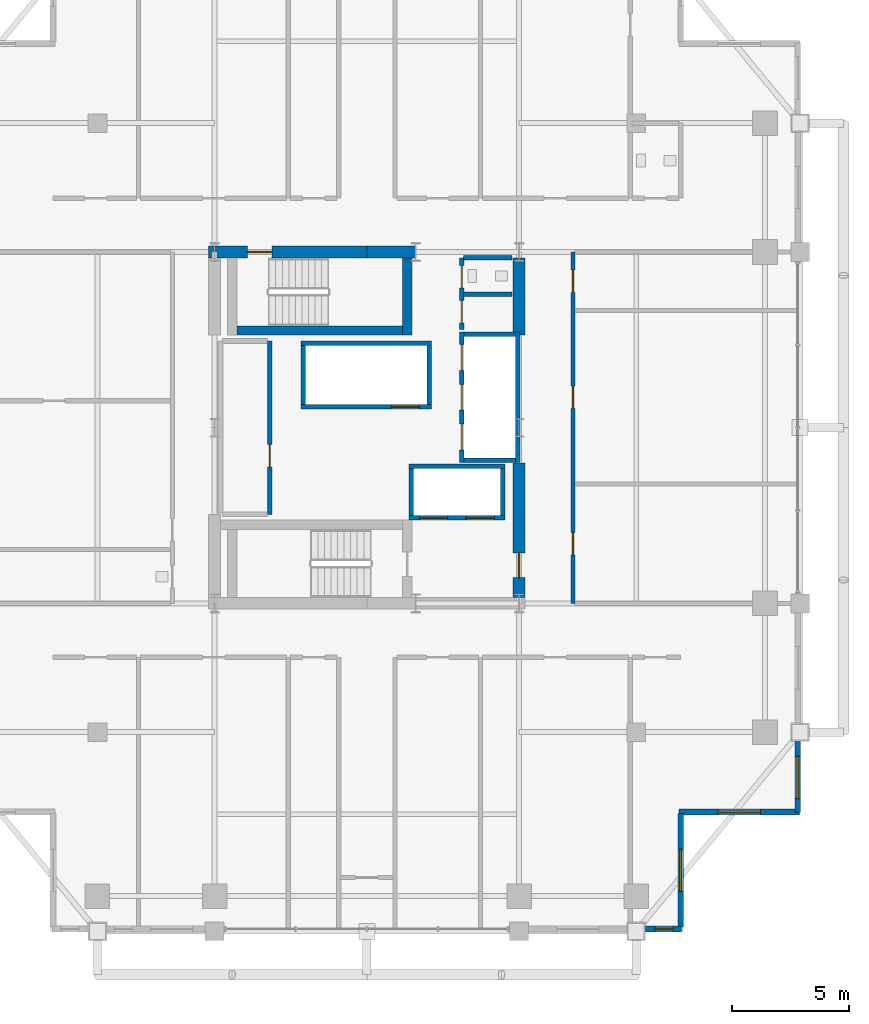
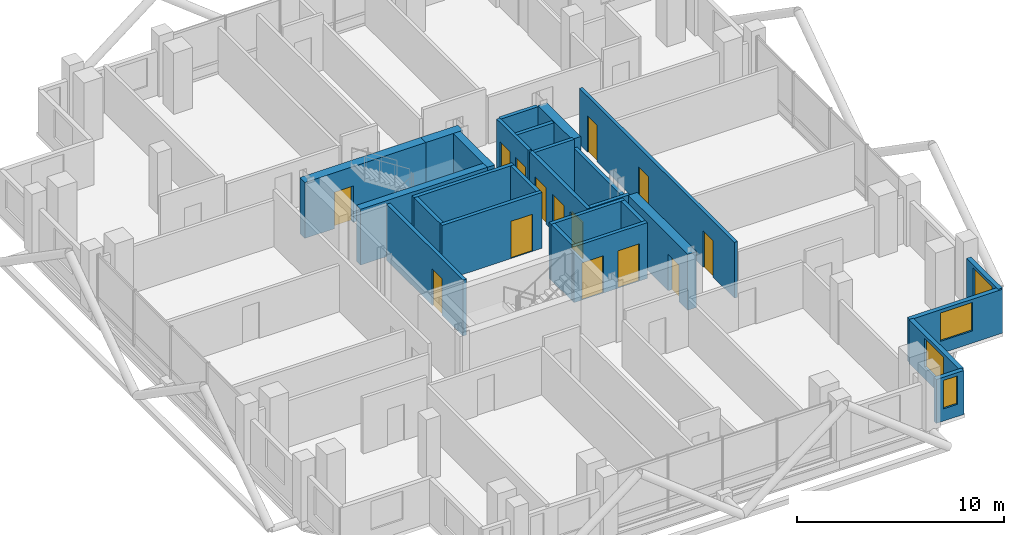
# One storey, part 21 of 25: 27 walls, 14 doors, 4 windows, 18 openings.
"""IFC4 building model written with IfcOpenShell, lengths in metres."""

from ifc_helpers import new_model, si_unit, direction, frame, frame_2d, origin, place, context, subcontext, project, spatial, rectangle, extrude, material, layer, layer_set, type_object, element, fill, save


model = new_model("IFC4")

# Units and contexts
model_context = context("Model", 3, precision=1e-05, world=origin(), true_north=direction((0.0, 1.0)))
body_context = subcontext(model_context, "Body", "Model", "MODEL_VIEW")
ifc_project = project(units=[si_unit("LENGTHUNIT", "METRE"), si_unit("AREAUNIT", "SQUARE_METRE"), si_unit("VOLUMEUNIT", "CUBIC_METRE"), si_unit("PLANEANGLEUNIT", "RADIAN"), si_unit("MASSUNIT", "GRAM", prefix="KILO")], contexts=[model_context])

# Site, building, storey
site_placement = place(None, origin())
site = spatial("IfcSite", under=ifc_project, at=site_placement, CompositionType="ELEMENT")
building_placement = place(site_placement, origin())
building = spatial("IfcBuilding", under=site, at=building_placement, Name="Barlavira Tower and Art Museum", CompositionType="ELEMENT")
storey_placement = place(building_placement, frame((0.0, 0.0, 208.800048828125)))
storey = spatial("IfcBuildingStorey", under=building, at=storey_placement, Name="L54", CompositionType="ELEMENT", Elevation=208.800048828125)

# Wall, opening, door
ifc_material_1 = material(Name="Concrete C60", Category="concrete")
ifc_layer_1 = layer(ifc_material_1, 0.5, Name="Concrete C60")
ifc_layer_set_1 = layer_set([ifc_layer_1], Name="Concrete C60")
wall_type_1 = type_object("IfcWallType", Name="Core Structural Shear Wall 500 Concrete C60", PredefinedType="SHEAR", material=ifc_layer_set_1)
wall_1_placement = place(storey_placement, frame((-6.75, 7.5, 0.0), z_axis=(0.0, 0.0, 1.0), x_axis=(1.0, 0.0, 0.0)))
wall_1 = element("IfcWall", 1, at=wall_1_placement, inside=storey, type_object=wall_type_1, Name="L54 Core Shear Wall CS-NW", PredefinedType="SHEAR", context=body_context, shape_type="SweptSolid", body=[
    extrude(rectangle(XDim=6.75, YDim=0.5, at=frame_2d((3.375, 0.0))), origin(), (0.0, 0.0, 1.0), 3.300048828125),
])
opening_1_placement = place(wall_1_placement, frame((1.64990234375, 0.0, 0.0)))
opening_1 = element("IfcOpeningElement", 2, at=opening_1_placement, cuts=wall_1, Name="Opening FD-90", PredefinedType="OPENING", context=body_context, shape_type="SweptSolid", body=[
    extrude(rectangle(XDim=1.050048828125, YDim=2.14990234375, at=frame_2d((0.52490234375, 1.074951171875))), frame((0.0, 0.260009765625, 0.0), z_axis=(0.0, -1.0, 0.0), x_axis=(1.0, 0.0, 0.0)), (0.0, 0.0, 1.0), 0.52001953125),
])
ifc_material_2 = material(Name="Brushed stainless steel", Category="steel")
door_type_1 = type_object("IfcDoorType", Name="Stair and Refuge Fire Door 1050x2150 FD90S", OperationType="NOTDEFINED", PredefinedType="DOOR", material=ifc_material_2)
door_1_placement = place(opening_1_placement, origin())
door_1 = element("IfcDoor", 3, at=door_1_placement, inside=storey, type_object=door_type_1, Name="L54 Stair ST-T2 Fire Door", OperationType="SINGLE_SWING_LEFT", OverallHeight=2.14990234375, OverallWidth=1.050048828125, PredefinedType="DOOR", context=body_context, shape_type="SweptSolid", body=[
    extrude(rectangle(XDim=1.050048828125, YDim=2.14990234375, at=frame_2d((0.52490234375, 1.074951171875))), frame((0.0, 0.02490234375, 0.0), z_axis=(0.0, -1.0, 0.0), x_axis=(1.0, 0.0, 0.0)), (0.0, 0.0, 1.0), 0.050048828125),
])
fill(opening_1, door_1)

# Wall
wall_2_placement = place(storey_placement, frame((0.0, 7.5, 0.0), z_axis=(0.0, 0.0, 1.0), x_axis=(1.0, 0.0, 0.0)))
element("IfcWall", 4, at=wall_2_placement, inside=storey, type_object=wall_type_1, Name="L54 Core Shear Wall CS-EN", PredefinedType="SHEAR", context=body_context, shape_type="SweptSolid", body=[
    extrude(rectangle(XDim=2.080078125, YDim=0.5, at=frame_2d((1.0400390625, 0.0))), origin(), (0.0, 0.0, 1.0), 3.300048828125),
])

# Wall, opening, door
wall_3_placement = place(storey_placement, frame((6.5, -7.25, 0.0), z_axis=(0.0, 0.0, 1.0), x_axis=(0.0, 1.0, 0.0)))
wall_3 = element("IfcWall", 5, at=wall_3_placement, inside=storey, type_object=wall_type_1, Name="L54 Core Shear Wall CS-E1", PredefinedType="SHEAR", context=body_context, shape_type="SweptSolid", body=[
    extrude(rectangle(XDim=5.75, YDim=0.5, at=frame_2d((2.875, 0.0))), origin(), (0.0, 0.0, 1.0), 3.300048828125),
])
opening_2_placement = place(wall_3_placement, frame((0.85009765625, 0.0, 0.0)))
opening_2 = element("IfcOpeningElement", 6, at=opening_2_placement, cuts=wall_3, Name="Opening FD-90", PredefinedType="OPENING", context=body_context, shape_type="SweptSolid", body=[
    extrude(rectangle(XDim=1.050048828125, YDim=2.14990234375, at=frame_2d((0.52490234375, 1.074951171875))), frame((0.0, 0.260009765625, 0.0), z_axis=(0.0, -1.0, 0.0), x_axis=(1.0, 0.0, 0.0)), (0.0, 0.0, 1.0), 0.52001953125),
])
door_2_placement = place(opening_2_placement, origin())
door_2 = element("IfcDoor", 7, at=door_2_placement, inside=storey, type_object=door_type_1, Name="L54 Firefighting Lobby Entry Fire Door", OperationType="SINGLE_SWING_LEFT", OverallHeight=2.14990234375, OverallWidth=1.050048828125, PredefinedType="DOOR", context=body_context, shape_type="SweptSolid", body=[
    extrude(rectangle(XDim=1.050048828125, YDim=2.14990234375, at=frame_2d((0.52490234375, 1.074951171875))), frame((0.0, 0.02490234375, 0.0), z_axis=(0.0, -1.0, 0.0), x_axis=(1.0, 0.0, 0.0)), (0.0, 0.0, 1.0), 0.050048828125),
])
fill(opening_2, door_2)

# Wall
wall_4_placement = place(storey_placement, frame((6.5, 3.949951171875, 0.0), z_axis=(0.0, 0.0, 1.0), x_axis=(0.0, 1.0, 0.0)))
element("IfcWall", 8, at=wall_4_placement, inside=storey, type_object=wall_type_1, Name="L54 Core Shear Wall CS-E2", PredefinedType="SHEAR", context=body_context, shape_type="SweptSolid", body=[
    extrude(rectangle(XDim=3.300048828125, YDim=0.5, at=frame_2d((1.64990234375, 0.0))), origin(), (0.0, 0.0, 1.0), 3.300048828125),
])

# Wall, openings, doors
ifc_material_3 = material(Name="Autoclaved aerated concrete masonry", Category="masonry")
ifc_layer_2 = layer(ifc_material_3, 0.199951171875, Name="Autoclaved aerated concrete masonry")
ifc_layer_set_2 = layer_set([ifc_layer_2], Name="Autoclaved aerated concrete masonry")
wall_type_2 = type_object("IfcWallType", Name="Fire Compartment and Shaft Wall 200", PredefinedType="SOLIDWALL", material=ifc_layer_set_2)
wall_5_placement = place(storey_placement, frame((4.050048828125, -1.489990234375, 0.0), z_axis=(0.0, 0.0, 1.0), x_axis=(0.0, 1.0, 0.0)))
wall_5 = element("IfcWall", 9, at=wall_5_placement, inside=storey, type_object=wall_type_2, Name="L54 Mid-Rise Lift Front Shaft Wall", PredefinedType="SOLIDWALL", context=body_context, shape_type="SweptSolid", body=[
    extrude(rectangle(XDim=5.580078125, YDim=0.199951171875, at=frame_2d((2.7900390625, 0.0))), origin(), (0.0, 0.0, 1.0), 3.300048828125),
])
opening_3_placement = place(wall_5_placement, frame((0.5400390625, 0.0, 0.0)))
opening_3 = element("IfcOpeningElement", 10, at=opening_3_placement, cuts=wall_5, Name="Opening LD-P", PredefinedType="OPENING", context=body_context, shape_type="SweptSolid", body=[
    extrude(rectangle(XDim=1.10009765625, YDim=2.14990234375, at=frame_2d((0.550048828125, 1.074951171875))), frame((0.0, 0.10986328125, 0.0), z_axis=(0.0, -1.0, 0.0), x_axis=(1.0, 0.0, 0.0)), (0.0, 0.0, 1.0), 0.219970703125),
])
opening_4_placement = place(wall_5_placement, frame((2.239990234375, 0.0, 0.0)))
opening_4 = element("IfcOpeningElement", 11, at=opening_4_placement, cuts=wall_5, Name="Opening LD-P", PredefinedType="OPENING", context=body_context, shape_type="SweptSolid", body=[
    extrude(rectangle(XDim=1.10009765625, YDim=2.14990234375, at=frame_2d((0.550048828125, 1.074951171875))), frame((0.0, 0.10986328125, 0.0), z_axis=(0.0, -1.0, 0.0), x_axis=(1.0, 0.0, 0.0)), (0.0, 0.0, 1.0), 0.219970703125),
])
opening_5_placement = place(wall_5_placement, frame((3.93994140625, 0.0, 0.0)))
opening_5 = element("IfcOpeningElement", 12, at=opening_5_placement, cuts=wall_5, Name="Opening LD-P", PredefinedType="OPENING", context=body_context, shape_type="SweptSolid", body=[
    extrude(rectangle(XDim=1.10009765625, YDim=2.14990234375, at=frame_2d((0.550048828125, 1.074951171875))), frame((0.0, 0.10986328125, 0.0), z_axis=(0.0, -1.0, 0.0), x_axis=(1.0, 0.0, 0.0)), (0.0, 0.0, 1.0), 0.219970703125),
])
door_type_2 = type_object("IfcDoorType", Name="Passenger Lift Sliding Landing Door 1100x2150 FD60", OperationType="NOTDEFINED", PredefinedType="DOOR", material=ifc_material_2)
door_3_placement = place(opening_3_placement, origin())
door_3 = element("IfcDoor", 13, at=door_3_placement, inside=storey, type_object=door_type_2, Name="L54 Lift PM1 Sliding Landing Door", OperationType="DOUBLE_DOOR_SLIDING", OverallHeight=2.14990234375, OverallWidth=1.10009765625, PredefinedType="DOOR", context=body_context, shape_type="SweptSolid", body=[
    extrude(rectangle(XDim=1.10009765625, YDim=2.14990234375, at=frame_2d((0.550048828125, 1.074951171875))), frame((0.0, 0.02490234375, 0.0), z_axis=(0.0, -1.0, 0.0), x_axis=(1.0, 0.0, 0.0)), (0.0, 0.0, 1.0), 0.050048828125),
])
fill(opening_3, door_3)
door_4_placement = place(opening_4_placement, origin())
door_4 = element("IfcDoor", 14, at=door_4_placement, inside=storey, type_object=door_type_2, Name="L54 Lift PM2 Sliding Landing Door", OperationType="DOUBLE_DOOR_SLIDING", OverallHeight=2.14990234375, OverallWidth=1.10009765625, PredefinedType="DOOR", context=body_context, shape_type="SweptSolid", body=[
    extrude(rectangle(XDim=1.10009765625, YDim=2.14990234375, at=frame_2d((0.550048828125, 1.074951171875))), frame((0.0, 0.02490234375, 0.0), z_axis=(0.0, -1.0, 0.0), x_axis=(1.0, 0.0, 0.0)), (0.0, 0.0, 1.0), 0.050048828125),
])
fill(opening_4, door_4)
door_5_placement = place(opening_5_placement, origin())
door_5 = element("IfcDoor", 15, at=door_5_placement, inside=storey, type_object=door_type_2, Name="L54 Lift PM3 Sliding Landing Door", OperationType="DOUBLE_DOOR_SLIDING", OverallHeight=2.14990234375, OverallWidth=1.10009765625, PredefinedType="DOOR", context=body_context, shape_type="SweptSolid", body=[
    extrude(rectangle(XDim=1.10009765625, YDim=2.14990234375, at=frame_2d((0.550048828125, 1.074951171875))), frame((0.0, 0.02490234375, 0.0), z_axis=(0.0, -1.0, 0.0), x_axis=(1.0, 0.0, 0.0)), (0.0, 0.0, 1.0), 0.050048828125),
])
fill(opening_5, door_5)

# Walls
wall_6_placement = place(storey_placement, frame((6.449951171875, -1.489990234375, 0.0), z_axis=(0.0, 0.0, 1.0), x_axis=(0.0, 1.0, 0.0)))
element("IfcWall", 16, at=wall_6_placement, inside=storey, type_object=wall_type_2, Name="L54 Mid-Rise Lift Back Shaft Wall", PredefinedType="SOLIDWALL", context=body_context, shape_type="SweptSolid", body=[
    extrude(rectangle(XDim=5.580078125, YDim=0.199951171875, at=frame_2d((2.7900390625, 0.0))), origin(), (0.0, 0.0, 1.0), 2.745849609375),
])
for number, where, z_axis, x_axis, name in (
    (17, (4.14990234375, -1.389892578125, 0.0), (0.0, 0.0, 1.0), (1.0, 0.0, 0.0), "L54 Mid-Rise Lift South Shaft Wall"),
    (18, (4.14990234375, 3.989990234375, 0.0), (0.0, 0.0, 1.0), (1.0, 0.0, 0.0), "L54 Mid-Rise Lift North Shaft Wall"),
):
    element("IfcWall", number, at=place(storey_placement, frame(where, z_axis=z_axis, x_axis=x_axis)), inside=storey, type_object=wall_type_2, Name=name, PredefinedType="SOLIDWALL", context=body_context, shape_type="SweptSolid", body=[
        extrude(rectangle(XDim=2.2001953125, YDim=0.199951171875, at=frame_2d((1.10009765625, 0.0))), origin(), (0.0, 0.0, 1.0), 3.300048828125),
    ])

# Wall, opening, door
wall_7_placement = place(storey_placement, frame((-2.820068359375, 0.89990234375, 0.0), z_axis=(0.0, 0.0, 1.0), x_axis=(1.0, 0.0, 0.0)))
wall_7 = element("IfcWall", 19, at=wall_7_placement, inside=storey, type_object=wall_type_2, Name="L54 High-Rise & Service Lift Front Wall", PredefinedType="SOLIDWALL", context=body_context, shape_type="SweptSolid", body=[
    extrude(rectangle(XDim=5.580078125, YDim=0.199951171875, at=frame_2d((2.7900390625, 0.0))), origin(), (0.0, 0.0, 1.0), 3.300048828125),
])
opening_6_placement = place(wall_7_placement, frame((3.860107421875, 0.0, 0.0)))
opening_6 = element("IfcOpeningElement", 20, at=opening_6_placement, cuts=wall_7, Name="Opening LD-F", PredefinedType="OPENING", context=body_context, shape_type="SweptSolid", body=[
    extrude(rectangle(XDim=1.199951171875, YDim=2.199951171875, at=frame_2d((0.60009765625, 1.10009765625))), frame((0.0, 0.10986328125, 0.0), z_axis=(0.0, -1.0, 0.0), x_axis=(1.0, 0.0, 0.0)), (0.0, 0.0, 1.0), 0.219970703125),
])
door_type_3 = type_object("IfcDoorType", Name="Firefighting and Service Lift Sliding Door 1200x2200 FD120", OperationType="NOTDEFINED", PredefinedType="DOOR", material=ifc_material_2)
door_6_placement = place(opening_6_placement, origin())
door_6 = element("IfcDoor", 21, at=door_6_placement, inside=storey, type_object=door_type_3, Name="L54 Stretcher Service Lift SL1 Sliding Door", OperationType="DOUBLE_DOOR_SLIDING", OverallHeight=2.199951171875, OverallWidth=1.199951171875, PredefinedType="DOOR", context=body_context, shape_type="SweptSolid", body=[
    extrude(rectangle(XDim=1.199951171875, YDim=2.199951171875, at=frame_2d((0.60009765625, 1.10009765625))), frame((0.0, 0.02490234375, 0.0), z_axis=(0.0, -1.0, 0.0), x_axis=(1.0, 0.0, 0.0)), (0.0, 0.0, 1.0), 0.050048828125),
])
fill(opening_6, door_6)

# Walls
wall_8_placement = place(storey_placement, frame((-2.820068359375, 3.60009765625, 0.0), z_axis=(0.0, 0.0, 1.0), x_axis=(1.0, 0.0, 0.0)))
element("IfcWall", 22, at=wall_8_placement, inside=storey, type_object=wall_type_2, Name="L54 High-Rise & Service Lift Back Wall", PredefinedType="SOLIDWALL", context=body_context, shape_type="SweptSolid", body=[
    extrude(rectangle(XDim=5.580078125, YDim=0.199951171875, at=frame_2d((2.7900390625, 0.0))), origin(), (0.0, 0.0, 1.0), 3.300048828125),
])
for number, where, z_axis, x_axis, name in (
    (23, (-2.719970703125, 1.0, 0.0), (0.0, 0.0, 1.0), (0.0, 1.0, 0.0), "L54 High-Rise & Service Lift West Wall"),
    (24, (2.659912109375, 1.0, 0.0), (0.0, 0.0, 1.0), (0.0, 1.0, 0.0), "L54 High-Rise & Service Lift East Wall"),
):
    element("IfcWall", number, at=place(storey_placement, frame(where, z_axis=z_axis, x_axis=x_axis)), inside=storey, type_object=wall_type_2, Name=name, PredefinedType="SOLIDWALL", context=body_context, shape_type="SweptSolid", body=[
        extrude(rectangle(XDim=2.5, YDim=0.199951171875, at=frame_2d((1.25, 0.0))), origin(), (0.0, 0.0, 1.0), 3.300048828125),
    ])

# Wall, openings, doors
wall_9_placement = place(storey_placement, frame((1.800048828125, -3.85009765625, 0.0), z_axis=(0.0, 0.0, 1.0), x_axis=(1.0, 0.0, 0.0)))
wall_9 = element("IfcWall", 25, at=wall_9_placement, inside=storey, type_object=wall_type_2, Name="L54 Firefighting Lift Front Shaft Wall", PredefinedType="SOLIDWALL", context=body_context, shape_type="SweptSolid", body=[
    extrude(rectangle(XDim=4.099853515625, YDim=0.199951171875, at=frame_2d((2.0498046875, 0.0))), origin(), (0.0, 0.0, 1.0), 3.300048828125),
])
opening_7_placement = place(wall_9_placement, frame((0.449951171875, 0.0, 0.0)))
opening_7 = element("IfcOpeningElement", 26, at=opening_7_placement, cuts=wall_9, Name="Opening LD-F", PredefinedType="OPENING", context=body_context, shape_type="SweptSolid", body=[
    extrude(rectangle(XDim=1.199951171875, YDim=2.199951171875, at=frame_2d((0.60009765625, 1.10009765625))), frame((0.0, 0.10986328125, 0.0), z_axis=(0.0, -1.0, 0.0), x_axis=(1.0, 0.0, 0.0)), (0.0, 0.0, 1.0), 0.219970703125),
])
opening_8_placement = place(wall_9_placement, frame((2.449951171875, 0.0, 0.0)))
opening_8 = element("IfcOpeningElement", 27, at=opening_8_placement, cuts=wall_9, Name="Opening LD-F", PredefinedType="OPENING", context=body_context, shape_type="SweptSolid", body=[
    extrude(rectangle(XDim=1.199951171875, YDim=2.199951171875, at=frame_2d((0.60009765625, 1.10009765625))), frame((0.0, 0.10986328125, 0.0), z_axis=(0.0, -1.0, 0.0), x_axis=(1.0, 0.0, 0.0)), (0.0, 0.0, 1.0), 0.219970703125),
])
door_7_placement = place(opening_7_placement, origin())
door_7 = element("IfcDoor", 28, at=door_7_placement, inside=storey, type_object=door_type_3, Name="L54 Firefighting Lift FF1 Sliding Door", OperationType="DOUBLE_DOOR_SLIDING", OverallHeight=2.199951171875, OverallWidth=1.199951171875, PredefinedType="DOOR", context=body_context, shape_type="SweptSolid", body=[
    extrude(rectangle(XDim=1.199951171875, YDim=2.199951171875, at=frame_2d((0.60009765625, 1.10009765625))), frame((0.0, 0.02490234375, 0.0), z_axis=(0.0, -1.0, 0.0), x_axis=(1.0, 0.0, 0.0)), (0.0, 0.0, 1.0), 0.050048828125),
])
fill(opening_7, door_7)
door_8_placement = place(opening_8_placement, origin())
door_8 = element("IfcDoor", 29, at=door_8_placement, inside=storey, type_object=door_type_3, Name="L54 Firefighting Lift FF2 Sliding Door", OperationType="DOUBLE_DOOR_SLIDING", OverallHeight=2.199951171875, OverallWidth=1.199951171875, PredefinedType="DOOR", context=body_context, shape_type="SweptSolid", body=[
    extrude(rectangle(XDim=1.199951171875, YDim=2.199951171875, at=frame_2d((0.60009765625, 1.10009765625))), frame((0.0, 0.02490234375, 0.0), z_axis=(0.0, -1.0, 0.0), x_axis=(1.0, 0.0, 0.0)), (0.0, 0.0, 1.0), 0.050048828125),
])
fill(opening_8, door_8)

# Walls
wall_10_placement = place(storey_placement, frame((1.800048828125, -1.64990234375, 0.0), z_axis=(0.0, 0.0, 1.0), x_axis=(1.0, 0.0, 0.0)))
element("IfcWall", 30, at=wall_10_placement, inside=storey, type_object=wall_type_2, Name="L54 Firefighting Lift Back Shaft Wall", PredefinedType="SOLIDWALL", context=body_context, shape_type="SweptSolid", body=[
    extrude(rectangle(XDim=4.099853515625, YDim=0.199951171875, at=frame_2d((2.0498046875, 0.0))), origin(), (0.0, 0.0, 1.0), 3.300048828125),
])
for number, where, z_axis, x_axis, name in (
    (31, (1.89990234375, -3.75, 0.0), (0.0, 0.0, 1.0), (0.0, 1.0, 0.0), "L54 Firefighting Lift West Shaft Wall"),
    (32, (5.800048828125, -3.75, 0.0), (0.0, 0.0, 1.0), (0.0, 1.0, 0.0), "L54 Firefighting Lift East Shaft Wall"),
):
    element("IfcWall", number, at=place(storey_placement, frame(where, z_axis=z_axis, x_axis=x_axis)), inside=storey, type_object=wall_type_2, Name=name, PredefinedType="SOLIDWALL", context=body_context, shape_type="SweptSolid", body=[
        extrude(rectangle(XDim=2.0, YDim=0.199951171875, at=frame_2d((1.0, 0.0))), origin(), (0.0, 0.0, 1.0), 3.300048828125),
    ])

# Wall, opening, door
wall_11_placement = place(storey_placement, frame((-4.14990234375, -3.699951171875, 0.0), z_axis=(0.0, 0.0, 1.0), x_axis=(0.0, 1.0, 0.0)))
wall_11 = element("IfcWall", 33, at=wall_11_placement, inside=storey, type_object=wall_type_2, Name="L54 Partition Wall 5", PredefinedType="SOLIDWALL", context=body_context, shape_type="SweptSolid", body=[
    extrude(rectangle(XDim=7.39990234375, YDim=0.199951171875, at=frame_2d((3.699951171875, 0.0))), origin(), (0.0, 0.0, 1.0), 3.300048828125),
])
opening_9_placement = place(wall_11_placement, frame((2.02490234375, 0.0, 0.0)))
opening_9 = element("IfcOpeningElement", 34, at=opening_9_placement, cuts=wall_11, Name="Opening FD-60", PredefinedType="OPENING", context=body_context, shape_type="SweptSolid", body=[
    extrude(rectangle(XDim=0.949951171875, YDim=2.14990234375, at=frame_2d((0.47509765625, 1.074951171875))), frame((0.0, 0.10986328125, 0.0), z_axis=(0.0, -1.0, 0.0), x_axis=(1.0, 0.0, 0.0)), (0.0, 0.0, 1.0), 0.219970703125),
])
door_type_4 = type_object("IfcDoorType", Name="Apartment Entrance and Riser Fire Door 950x2150 FD60S", OperationType="NOTDEFINED", PredefinedType="DOOR", material=ifc_material_2)
door_9_placement = place(opening_9_placement, origin())
door_9 = element("IfcDoor", 35, at=door_9_placement, inside=storey, type_object=door_type_4, Name="Reclaimed Core Tenant Storage Vault Door", OperationType="SINGLE_SWING_LEFT", OverallHeight=2.14990234375, OverallWidth=0.949951171875, PredefinedType="DOOR", context=body_context, shape_type="SweptSolid", body=[
    extrude(rectangle(XDim=0.949951171875, YDim=2.14990234375, at=frame_2d((0.47509765625, 1.074951171875))), frame((0.0, 0.02490234375, 0.0), z_axis=(0.0, -1.0, 0.0), x_axis=(1.0, 0.0, 0.0)), (0.0, 0.0, 1.0), 0.050048828125),
])
fill(opening_9, door_9)

# Wall, openings, doors
wall_12_placement = place(storey_placement, frame((4.050048828125, 4.199951171875, 0.0), z_axis=(0.0, 0.0, 1.0), x_axis=(0.0, 1.0, 0.0)))
wall_12 = element("IfcWall", 36, at=wall_12_placement, inside=storey, type_object=wall_type_2, Name="L54 Partition Wall 12", PredefinedType="SOLIDWALL", context=body_context, shape_type="SweptSolid", body=[
    extrude(rectangle(XDim=3.050048828125, YDim=0.199951171875, at=frame_2d((1.52490234375, 0.0))), origin(), (0.0, 0.0, 1.0), 3.300048828125),
])
opening_10_placement = place(wall_12_placement, frame((0.27490234375, 0.0, 0.0)))
opening_10 = element("IfcOpeningElement", 37, at=opening_10_placement, cuts=wall_12, Name="Opening FD-60", PredefinedType="OPENING", context=body_context, shape_type="SweptSolid", body=[
    extrude(rectangle(XDim=0.949951171875, YDim=2.14990234375, at=frame_2d((0.47509765625, 1.074951171875))), frame((0.0, 0.10986328125, 0.0), z_axis=(0.0, -1.0, 0.0), x_axis=(1.0, 0.0, 0.0)), (0.0, 0.0, 1.0), 0.219970703125),
])
opening_11_placement = place(wall_12_placement, frame((1.77490234375, 0.0, 0.0)))
opening_11 = element("IfcOpeningElement", 38, at=opening_11_placement, cuts=wall_12, Name="Opening FD-60", PredefinedType="OPENING", context=body_context, shape_type="SweptSolid", body=[
    extrude(rectangle(XDim=0.949951171875, YDim=2.14990234375, at=frame_2d((0.47509765625, 1.074951171875))), frame((0.0, 0.10986328125, 0.0), z_axis=(0.0, -1.0, 0.0), x_axis=(1.0, 0.0, 0.0)), (0.0, 0.0, 1.0), 0.219970703125),
])
door_10_placement = place(opening_10_placement, origin())
door_10 = element("IfcDoor", 39, at=door_10_placement, inside=storey, type_object=door_type_4, Name="Electrical Switchgear Room Door", OperationType="SINGLE_SWING_RIGHT", OverallHeight=2.14990234375, OverallWidth=0.949951171875, PredefinedType="DOOR", context=body_context, shape_type="SweptSolid", body=[
    extrude(rectangle(XDim=0.949951171875, YDim=2.14990234375, at=frame_2d((0.47509765625, 1.074951171875))), frame((0.0, 0.02490234375, 0.0), z_axis=(0.0, -1.0, 0.0), x_axis=(1.0, 0.0, 0.0)), (0.0, 0.0, 1.0), 0.050048828125),
])
fill(opening_10, door_10)
door_11_placement = place(opening_11_placement, origin())
door_11 = element("IfcDoor", 40, at=door_11_placement, inside=storey, type_object=door_type_4, Name="Core Staff Toilet Door", OperationType="SINGLE_SWING_LEFT", OverallHeight=2.14990234375, OverallWidth=0.949951171875, PredefinedType="DOOR", context=body_context, shape_type="SweptSolid", body=[
    extrude(rectangle(XDim=0.949951171875, YDim=2.14990234375, at=frame_2d((0.47509765625, 1.074951171875))), frame((0.0, 0.02490234375, 0.0), z_axis=(0.0, -1.0, 0.0), x_axis=(1.0, 0.0, 0.0)), (0.0, 0.0, 1.0), 0.050048828125),
])
fill(opening_11, door_11)

# Walls
for number, where, z_axis, x_axis, name in (
    (41, (4.1298828125, 5.699951171875, 0.0), (0.0, 0.0, 1.0), (1.0, 0.0, 0.0), "L54 Partition Wall 34"),
    (42, (4.1298828125, 7.25, 0.0), (0.0, 0.0, 1.0), (1.0, 0.0, 0.0), "L54 Partition Wall 35"),
):
    element("IfcWall", number, at=place(storey_placement, frame(where, z_axis=z_axis, x_axis=x_axis)), inside=storey, type_object=wall_type_2, Name=name, PredefinedType="SOLIDWALL", context=body_context, shape_type="SweptSolid", body=[
        extrude(rectangle(XDim=2.070068359375, YDim=0.199951171875, at=frame_2d((1.03515625, 0.0))), origin(), (0.0, 0.0, 1.0), 3.300048828125),
    ])

# Wall, openings, doors
ifc_material_4 = material(Name="Gypsum acoustic stud partition", Category="gypsum")
ifc_layer_3 = layer(ifc_material_4, 0.179931640625, Name="Gypsum acoustic stud partition")
ifc_layer_set_3 = layer_set([ifc_layer_3], Name="Gypsum acoustic stud partition")
wall_type_3 = type_object("IfcWallType", Name="Inter-Tenancy Party Partition Wall 180", PredefinedType="PARTITIONING", material=ifc_layer_set_3)
wall_13_placement = place(storey_placement, frame((8.800048828125, -7.5, 0.0), z_axis=(0.0, 0.0, 1.0), x_axis=(0.0, 1.0, 0.0)))
wall_13 = element("IfcWall", 43, at=wall_13_placement, inside=storey, type_object=wall_type_3, Name="L54 Partition Wall 15", PredefinedType="PARTITIONING", context=body_context, shape_type="SweptSolid", body=[
    extrude(rectangle(XDim=15.0, YDim=0.179931640625, at=frame_2d((7.5, 0.0))), origin(), (0.0, 0.0, 1.0), 3.300048828125),
])
opening_12_placement = place(wall_13_placement, frame((2.074951171875, 0.0, 0.0)))
opening_12 = element("IfcOpeningElement", 44, at=opening_12_placement, cuts=wall_13, Name="Opening FD-60", PredefinedType="OPENING", context=body_context, shape_type="SweptSolid", body=[
    extrude(rectangle(XDim=0.949951171875, YDim=2.14990234375, at=frame_2d((0.47509765625, 1.074951171875))), frame((0.0, 0.10009765625, 0.0), z_axis=(0.0, -1.0, 0.0), x_axis=(1.0, 0.0, 0.0)), (0.0, 0.0, 1.0), 0.199951171875),
])
opening_13_placement = place(wall_13_placement, frame((8.324951171875, 0.0, 0.0)))
opening_13 = element("IfcOpeningElement", 45, at=opening_13_placement, cuts=wall_13, Name="Opening FD-60", PredefinedType="OPENING", context=body_context, shape_type="SweptSolid", body=[
    extrude(rectangle(XDim=0.949951171875, YDim=2.14990234375, at=frame_2d((0.47509765625, 1.074951171875))), frame((0.0, 0.10009765625, 0.0), z_axis=(0.0, -1.0, 0.0), x_axis=(1.0, 0.0, 0.0)), (0.0, 0.0, 1.0), 0.199951171875),
])
opening_14_placement = place(wall_13_placement, frame((13.27490234375, 0.0, 0.0)))
opening_14 = element("IfcOpeningElement", 46, at=opening_14_placement, cuts=wall_13, Name="Opening FD-60", PredefinedType="OPENING", context=body_context, shape_type="SweptSolid", body=[
    extrude(rectangle(XDim=0.949951171875, YDim=2.14990234375, at=frame_2d((0.47509765625, 1.074951171875))), frame((0.0, 0.10009765625, 0.0), z_axis=(0.0, -1.0, 0.0), x_axis=(1.0, 0.0, 0.0)), (0.0, 0.0, 1.0), 0.199951171875),
])
door_12_placement = place(opening_12_placement, origin())
door_12 = element("IfcDoor", 47, at=door_12_placement, inside=storey, type_object=door_type_4, Name="Resident Rare-Book Reading Room Door", OperationType="SINGLE_SWING_RIGHT", OverallHeight=2.14990234375, OverallWidth=0.949951171875, PredefinedType="DOOR", context=body_context, shape_type="SweptSolid", body=[
    extrude(rectangle(XDim=0.949951171875, YDim=2.14990234375, at=frame_2d((0.47509765625, 1.074951171875))), frame((0.0, 0.02490234375, 0.0), z_axis=(0.0, -1.0, 0.0), x_axis=(1.0, 0.0, 0.0)), (0.0, 0.0, 1.0), 0.050048828125),
])
fill(opening_12, door_12)
door_13_placement = place(opening_13_placement, origin())
door_13 = element("IfcDoor", 48, at=door_13_placement, inside=storey, type_object=door_type_4, Name="Private Coastal Dining Salon Door", OperationType="SINGLE_SWING_LEFT", OverallHeight=2.14990234375, OverallWidth=0.949951171875, PredefinedType="DOOR", context=body_context, shape_type="SweptSolid", body=[
    extrude(rectangle(XDim=0.949951171875, YDim=2.14990234375, at=frame_2d((0.47509765625, 1.074951171875))), frame((0.0, 0.02490234375, 0.0), z_axis=(0.0, -1.0, 0.0), x_axis=(1.0, 0.0, 0.0)), (0.0, 0.0, 1.0), 0.050048828125),
])
fill(opening_13, door_13)
door_14_placement = place(opening_14_placement, origin())
door_14 = element("IfcDoor", 49, at=door_14_placement, inside=storey, type_object=door_type_4, Name="Shared Catering Kitchen Door", OperationType="SINGLE_SWING_RIGHT", OverallHeight=2.14990234375, OverallWidth=0.949951171875, PredefinedType="DOOR", context=body_context, shape_type="SweptSolid", body=[
    extrude(rectangle(XDim=0.949951171875, YDim=2.14990234375, at=frame_2d((0.47509765625, 1.074951171875))), frame((0.0, 0.02490234375, 0.0), z_axis=(0.0, -1.0, 0.0), x_axis=(1.0, 0.0, 0.0)), (0.0, 0.0, 1.0), 0.050048828125),
])
fill(opening_14, door_14)

# Wall, opening, window
ifc_material_5 = material(Name="Precast concrete C40", Category="concrete")
ifc_layer_4 = layer(ifc_material_5, 0.25, Name="Precast concrete C40")
ifc_layer_set_4 = layer_set([ifc_layer_4], Name="Precast concrete C40")
wall_type_4 = type_object("IfcWallType", Name="Notched Corner Spandrel Wall 250 Precast Concrete C40", PredefinedType="SOLIDWALL", material=ifc_layer_set_4)
wall_14_placement = place(storey_placement, frame((11.89501953125, -21.39990234375, 0.0), z_axis=(0.0, 0.0, 1.0), x_axis=(1.0, 0.0, 0.0)))
wall_14 = element("IfcWall", 50, at=wall_14_placement, inside=storey, type_object=wall_type_4, Name="L54 Coastal Facade Pier Wall CW3-L54-S-5", PredefinedType="SOLIDWALL", context=body_context, shape_type="SweptSolid", body=[
    extrude(rectangle(XDim=1.530029296875, YDim=0.25, at=frame_2d((0.76513671875, 0.0))), origin(), (0.0, 0.0, 1.0), 2.58984375),
])
opening_15_placement = place(wall_14_placement, frame((0.407958984375, 0.0, 0.719970703125)))
opening_15 = element("IfcOpeningElement", 51, at=opening_15_placement, cuts=wall_14, Name="Opening WN-06", PredefinedType="OPENING", context=body_context, shape_type="SweptSolid", body=[
    extrude(rectangle(XDim=0.760009765625, YDim=1.679931640625, at=frame_2d((0.3798828125, 0.83984375))), frame((0.0, 0.135009765625, 0.0), z_axis=(0.0, -1.0, 0.0), x_axis=(1.0, 0.0, 0.0)), (0.0, 0.0, 1.0), 0.27001953125),
])
ifc_material_6 = material(Name="Low-iron coastal laminated glass", Category="glass")
window_type_1 = type_object("IfcWindowType", Name="Recessed Narrow Pier Window 760x1680", PartitioningType="SINGLE_PANEL", PredefinedType="WINDOW", material=ifc_material_6)
window_1_placement = place(opening_15_placement, origin())
window_1 = element("IfcWindow", 52, at=window_1_placement, inside=storey, type_object=window_type_1, Name="L54 Punched Facade Window EWP-CW3-L54-S-5-1", OverallHeight=1.679931640625, OverallWidth=0.760009765625, PartitioningType="SINGLE_PANEL", PredefinedType="WINDOW", context=body_context, shape_type="SweptSolid", body=[
    extrude(rectangle(XDim=0.760009765625, YDim=1.679931640625, at=frame_2d((0.3798828125, 0.83984375))), frame((0.0, 0.030029296875, 0.0), z_axis=(0.0, -1.0, 0.0), x_axis=(1.0, 0.0, 0.0)), (0.0, 0.0, 1.0), 0.06005859375),
])
fill(opening_15, window_1)

wall_15_placement = place(storey_placement, frame((18.39990234375, -16.425048828125, 0.0), z_axis=(0.0, 0.0, 1.0), x_axis=(0.0, 1.0, 0.0)))
wall_15 = element("IfcWall", 53, at=wall_15_placement, inside=storey, type_object=wall_type_4, Name="L54 Coastal Facade Pier Wall CW3-L54-E-1", PredefinedType="SOLIDWALL", context=body_context, shape_type="SweptSolid", body=[
    extrude(rectangle(XDim=3.030029296875, YDim=0.25, at=frame_2d((1.51513671875, 0.0))), origin(), (0.0, 0.0, 1.0), 2.58984375),
])
opening_16_placement = place(wall_15_placement, frame((0.593017578125, 0.0, 0.719970703125)))
opening_16 = element("IfcOpeningElement", 54, at=opening_16_placement, cuts=wall_15, Name="Opening WN-01", PredefinedType="OPENING", context=body_context, shape_type="SweptSolid", body=[
    extrude(rectangle(XDim=1.800048828125, YDim=1.679931640625, at=frame_2d((0.89990234375, 0.83984375))), frame((0.0, 0.135009765625, 0.0), z_axis=(0.0, -1.0, 0.0), x_axis=(1.0, 0.0, 0.0)), (0.0, 0.0, 1.0), 0.27001953125),
])
window_type_2 = type_object("IfcWindowType", Name="Recessed Notch Corner Punch Window 1800x1680", PartitioningType="SINGLE_PANEL", PredefinedType="WINDOW", material=ifc_material_6)
window_2_placement = place(opening_16_placement, origin())
window_2 = element("IfcWindow", 55, at=window_2_placement, inside=storey, type_object=window_type_2, Name="L54 Punched Facade Window EWP-CW3-L54-E-1-1", OverallHeight=1.679931640625, OverallWidth=1.800048828125, PartitioningType="SINGLE_PANEL", PredefinedType="WINDOW", context=body_context, shape_type="SweptSolid", body=[
    extrude(rectangle(XDim=1.800048828125, YDim=1.679931640625, at=frame_2d((0.89990234375, 0.83984375))), frame((0.0, 0.030029296875, 0.0), z_axis=(0.0, -1.0, 0.0), x_axis=(1.0, 0.0, 0.0)), (0.0, 0.0, 1.0), 0.06005859375),
])
fill(opening_16, window_2)

wall_16_placement = place(storey_placement, frame((13.39990234375, -21.320068359375, 0.0), z_axis=(0.0, 0.0, 1.0), x_axis=(0.0, 1.0, 0.0)))
wall_16 = element("IfcWall", 56, at=wall_16_placement, inside=storey, type_object=wall_type_4, Name="L54 Notch Corner Wall SE1", PredefinedType="SOLIDWALL", context=body_context, shape_type="SweptSolid", body=[
    extrude(rectangle(XDim=4.840087890625, YDim=0.25, at=frame_2d((2.419921875, 0.0))), origin(), (0.0, 0.0, 1.0), 2.58984375),
])
opening_17_placement = place(wall_16_placement, frame((1.52001953125, 0.0, 0.719970703125)))
opening_17 = element("IfcOpeningElement", 57, at=opening_17_placement, cuts=wall_16, Name="Opening WN-01", PredefinedType="OPENING", context=body_context, shape_type="SweptSolid", body=[
    extrude(rectangle(XDim=1.800048828125, YDim=1.679931640625, at=frame_2d((0.89990234375, 0.83984375))), frame((0.0, 0.135009765625, 0.0), z_axis=(0.0, -1.0, 0.0), x_axis=(1.0, 0.0, 0.0)), (0.0, 0.0, 1.0), 0.27001953125),
])
window_3_placement = place(opening_17_placement, origin())
window_3 = element("IfcWindow", 58, at=window_3_placement, inside=storey, type_object=window_type_2, Name="L54 Punched Facade Window EW-NTC-L54-SE1-1", OverallHeight=1.679931640625, OverallWidth=1.800048828125, PartitioningType="SINGLE_PANEL", PredefinedType="WINDOW", context=body_context, shape_type="SweptSolid", body=[
    extrude(rectangle(XDim=1.800048828125, YDim=1.679931640625, at=frame_2d((0.89990234375, 0.83984375))), frame((0.0, 0.030029296875, 0.0), z_axis=(0.0, -1.0, 0.0), x_axis=(1.0, 0.0, 0.0)), (0.0, 0.0, 1.0), 0.06005859375),
])
fill(opening_17, window_3)

wall_17_placement = place(storey_placement, frame((13.320068359375, -16.39990234375, 0.0), z_axis=(0.0, 0.0, 1.0), x_axis=(1.0, 0.0, 0.0)))
wall_17 = element("IfcWall", 59, at=wall_17_placement, inside=storey, type_object=wall_type_4, Name="L54 Notch Corner Wall SE2", PredefinedType="SOLIDWALL", context=body_context, shape_type="SweptSolid", body=[
    extrude(rectangle(XDim=5.159912109375, YDim=0.25, at=frame_2d((2.580078125, 0.0))), origin(), (0.0, 0.0, 1.0), 2.58984375),
])
opening_18_placement = place(wall_17_placement, frame((1.679931640625, 0.0, 0.719970703125)))
opening_18 = element("IfcOpeningElement", 60, at=opening_18_placement, cuts=wall_17, Name="Opening WN-01", PredefinedType="OPENING", context=body_context, shape_type="SweptSolid", body=[
    extrude(rectangle(XDim=1.800048828125, YDim=1.679931640625, at=frame_2d((0.89990234375, 0.83984375))), frame((0.0, 0.135009765625, 0.0), z_axis=(0.0, -1.0, 0.0), x_axis=(1.0, 0.0, 0.0)), (0.0, 0.0, 1.0), 0.27001953125),
])
window_4_placement = place(opening_18_placement, origin())
window_4 = element("IfcWindow", 61, at=window_4_placement, inside=storey, type_object=window_type_2, Name="L54 Punched Facade Window EW-NTC-L54-SE2-1", OverallHeight=1.679931640625, OverallWidth=1.800048828125, PartitioningType="SINGLE_PANEL", PredefinedType="WINDOW", context=body_context, shape_type="SweptSolid", body=[
    extrude(rectangle(XDim=1.800048828125, YDim=1.679931640625, at=frame_2d((0.89990234375, 0.83984375))), frame((0.0, 0.030029296875, 0.0), z_axis=(0.0, -1.0, 0.0), x_axis=(1.0, 0.0, 0.0)), (0.0, 0.0, 1.0), 0.06005859375),
])
fill(opening_18, window_4)

# Walls
ifc_material_7 = material(Name="Concrete C55", Category="concrete")
ifc_layer_5 = layer(ifc_material_7, 0.39990234375, Name="Concrete C55")
ifc_layer_set_5 = layer_set([ifc_layer_5], Name="Concrete C55")
wall_type_5 = type_object("IfcWallType", Name="Upper Core Shear Wall 400 Concrete C55", PredefinedType="SHEAR", material=ifc_layer_set_5)
wall_18_placement = place(storey_placement, frame((-5.550048828125, 4.14990234375, 0.0), z_axis=(0.0, 0.0, 1.0), x_axis=(1.0, 0.0, 0.0)))
element("IfcWall", 62, at=wall_18_placement, inside=storey, type_object=wall_type_5, Name="L54 ST-T2 South Shaft Wall", PredefinedType="SHEAR", context=body_context, shape_type="SweptSolid", body=[
    extrude(rectangle(XDim=7.080078125, YDim=0.39990234375, at=frame_2d((3.5400390625, 0.0))), origin(), (0.0, 0.0, 1.0), 3.300048828125),
])
wall_19_placement = place(storey_placement, frame((1.72998046875, 3.949951171875, 0.0), z_axis=(0.0, 0.0, 1.0), x_axis=(0.0, 1.0, 0.0)))
element("IfcWall", 63, at=wall_19_placement, inside=storey, type_object=wall_type_5, Name="L54 ST-T2 East Half-Landing Wall", PredefinedType="SHEAR", context=body_context, shape_type="SweptSolid", body=[
    extrude(rectangle(XDim=3.300048828125, YDim=0.39990234375, at=frame_2d((1.64990234375, 0.0))), origin(), (0.0, 0.0, 1.0), 3.300048828125),
])

save(model, "model.ifc")
